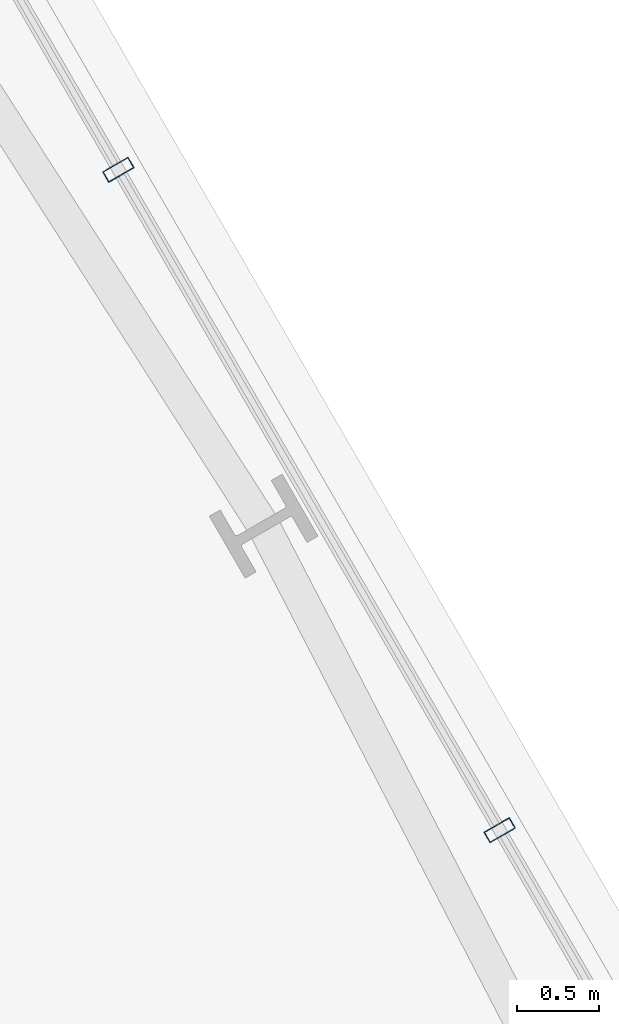
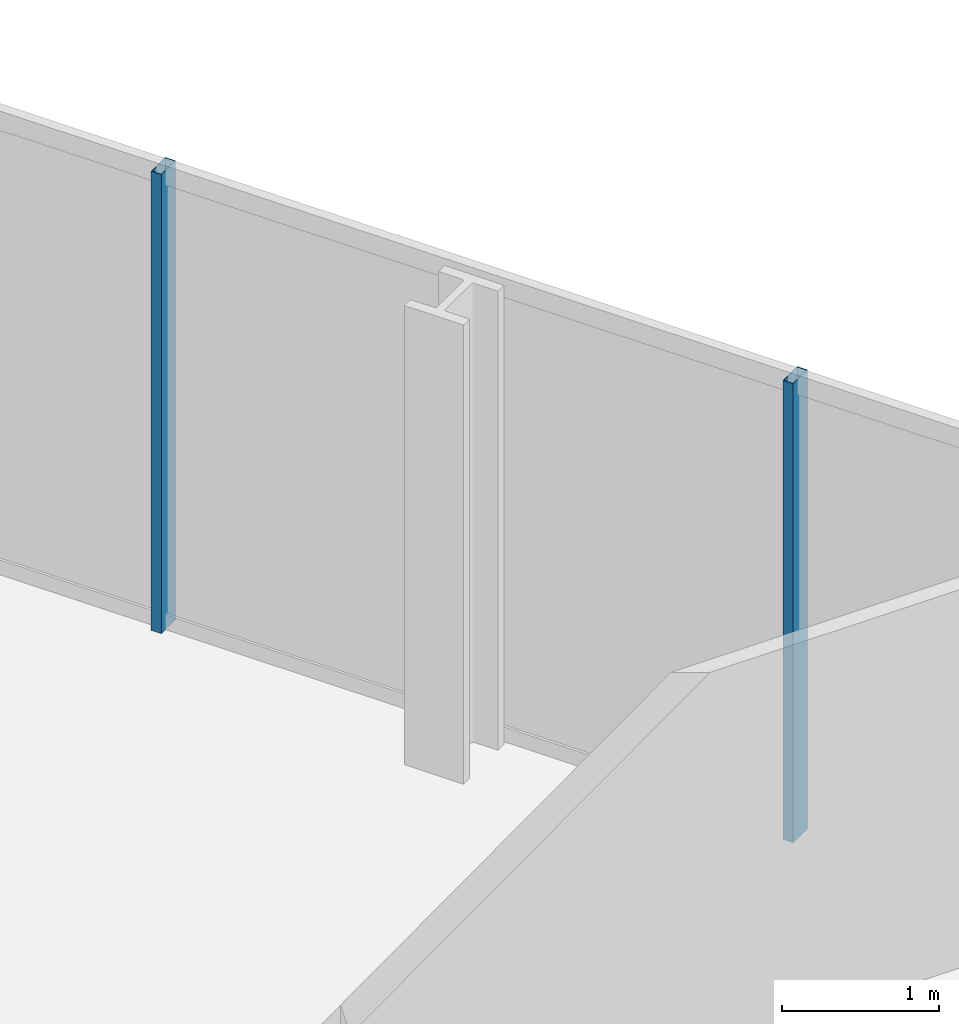
# One storey, part 21 of 33: 2 members, 1 element without a shape of its own.
"""IFC4 building model written with IfcOpenShell, lengths in metres."""

from ifc_helpers import new_model, si_unit, direction, frame, origin, origin_2d, place, context, subcontext, project, spatial, hollow_rectangle, extrude, material, layer, layer_set, material_profile, profile_set, type_object, element, aggregate, save


model = new_model("IFC4")

# Units and contexts
model_context = context("Model", 3, precision=1e-05, world=origin(), true_north=direction((0.0, 1.0)))
body_context = subcontext(model_context, "Body", "Model", "MODEL_VIEW")
ifc_project = project(units=[si_unit("LENGTHUNIT", "METRE"), si_unit("AREAUNIT", "SQUARE_METRE"), si_unit("VOLUMEUNIT", "CUBIC_METRE"), si_unit("PLANEANGLEUNIT", "RADIAN"), si_unit("MASSUNIT", "GRAM", prefix="KILO")], contexts=[model_context])

# Site, building, storey
site_placement = place(None, origin())
site = spatial("IfcSite", under=ifc_project, at=site_placement, CompositionType="ELEMENT")
building_placement = place(site_placement, origin())
building = spatial("IfcBuilding", under=site, at=building_placement, Name="Ndaravel Arena Tower", CompositionType="ELEMENT")
storey_placement = place(building_placement, frame((0.0, 0.0, 81.60009765625)))
storey = spatial("IfcBuildingStorey", under=building, at=storey_placement, Name="L18", CompositionType="ELEMENT", Elevation=81.60009765625)

# Curtain wall, members
ifc_material_1 = material(Name="Aluminium", Category="aluminium")
ifc_layer = layer(ifc_material_1, 0.179931640625)
ifc_layer_set = layer_set([ifc_layer], Name="Aluminium")
curtain_wall_type = type_object("IfcCurtainWallType", Name="CW-SYS-03", PredefinedType="NOTDEFINED", material=ifc_layer_set)
curtain_wall_placement = place(storey_placement, origin())
curtain_wall = element("IfcCurtainWall", 1, at=curtain_wall_placement, inside=storey, type_object=curtain_wall_type, Name="L18 Faceted Crystal Curtain Wall CW-L18-E03", PredefinedType="NOTDEFINED")
ifc_material_2 = material(Name="Aluminium", Category="aluminium")
ifc_material_profile = material_profile(ifc_material_2, hollow_rectangle(XDim=0.074951171875, YDim=0.179931640625, WallThickness=0.00390625, at=origin_2d()), Name="CW MULLION 75x180x4")
ifc_profile_set = profile_set([ifc_material_profile], Name="Aluminium")
member_type = type_object("IfcMemberType", Name="MEM-CW-MUL180", PredefinedType="MULLION", material=ifc_profile_set)
member_1_placement = place(storey_placement, frame((58.529296875, 29.754150390625, 0.0), z_axis=(0.0, 0.0, 1.0), x_axis=(-0.5, 0.866025403784, 0.0)))
member_1 = element("IfcMember", 2, at=member_1_placement, type_object=member_type, Name="CW-L18-E03 Mullion 03", PredefinedType="MULLION", context=body_context, shape_type="SweptSolid", body=[
    extrude(hollow_rectangle(XDim=0.074951171875, YDim=0.179931640625, WallThickness=0.00390625, at=origin_2d()), origin(), (0.0, 0.0, 1.0), 3.579833984375),
])
member_2_placement = place(storey_placement, frame((56.199462890625, 33.78955078125, 0.0), z_axis=(0.0, 0.0, 1.0), x_axis=(-0.5, 0.866025403784, 0.0)))
member_2 = element("IfcMember", 3, at=member_2_placement, type_object=member_type, Name="CW-L18-E03 Mullion 04", PredefinedType="MULLION", context=body_context, shape_type="SweptSolid", body=[
    extrude(hollow_rectangle(XDim=0.074951171875, YDim=0.179931640625, WallThickness=0.00390625, at=origin_2d()), origin(), (0.0, 0.0, 1.0), 3.579833984375),
])
aggregate(curtain_wall, [member_1, member_2])

save(model, "model.ifc")
